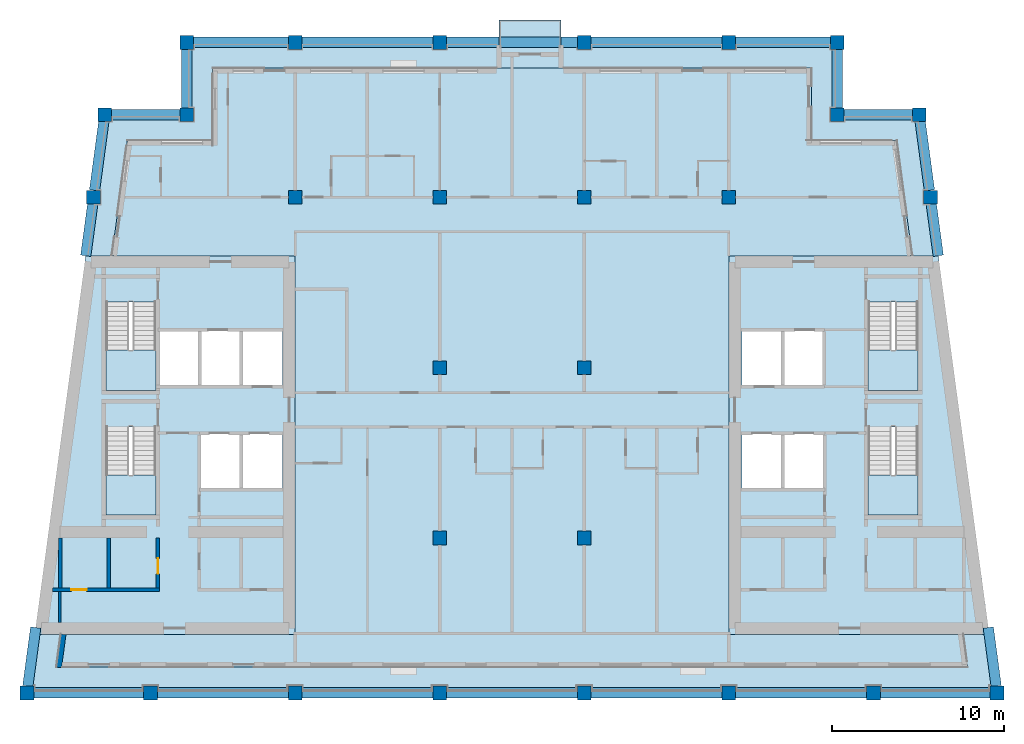
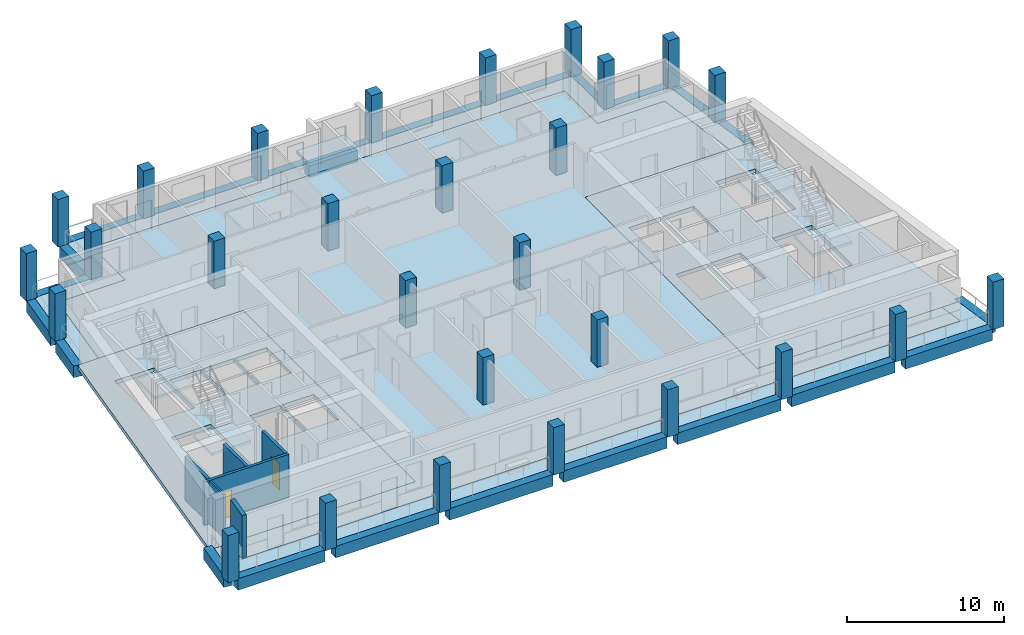
# One storey, part 1 of 13: 28 columns, 24 beams, 10 slabs, 6 walls, 2 doors, 2 openings, 4 elements without a shape of their own.
"""IFC4 building model written with IfcOpenShell, lengths in metres."""

from ifc_helpers import new_model, si_unit, direction, frame, frame_2d, origin, origin_2d, place, context, subcontext, project, spatial, polyline, rectangle, outline, extrude, material, layer, layer_set, material_profile, profile_set, type_object, element, fill, aggregate, save


model = new_model("IFC4")

# Units and contexts
model_context = context("Model", 3, precision=1e-05, world=origin(), true_north=direction((0.0, 1.0)))
body_context = subcontext(model_context, "Body", "Model", "MODEL_VIEW")
ifc_project = project(units=[si_unit("LENGTHUNIT", "METRE"), si_unit("AREAUNIT", "SQUARE_METRE"), si_unit("VOLUMEUNIT", "CUBIC_METRE"), si_unit("PLANEANGLEUNIT", "RADIAN"), si_unit("MASSUNIT", "GRAM", prefix="KILO")], contexts=[model_context])

# Site, building, storey
site_placement = place(None, origin())
site = spatial("IfcSite", under=ifc_project, at=site_placement, CompositionType="ELEMENT")
building_placement = place(site_placement, origin())
building = spatial("IfcBuilding", under=site, at=building_placement, Name="Candeia Pilgrim Tower and Theatre", CompositionType="ELEMENT")
storey_placement = place(building_placement, frame((0.0, 0.0, 277.5)))
storey = spatial("IfcBuildingStorey", under=building, at=storey_placement, Name="L67", CompositionType="ELEMENT", Elevation=277.5)

# Columns
ifc_material_1 = material(Name="Concrete C40/50", Category="concrete")
ifc_material_profile_1 = material_profile(ifc_material_1, rectangle(XDim=0.800048828125, YDim=0.800048828125, at=origin_2d()))
ifc_profile_set_1 = profile_set([ifc_material_profile_1], Name="Concrete C40/50")
column_type = type_object("IfcColumnType", Name="RC 800x800 C40/50", PredefinedType="COLUMN", material=ifc_profile_set_1)
for number, where, z_axis, x_axis, name in (
    (1, (94.5, 140.60009765625, 0.0), (0.0, 0.0, 1.0), (1.0, 0.0, 0.0), "Column NNW"),
    (2, (132.300048828125, 140.60009765625, 0.0), (0.0, 0.0, 1.0), (1.0, 0.0, 0.0), "Column NNE"),
    (3, (89.734619140625, 140.60009765625, 0.0), (0.0, 0.0, 1.0), (1.0, 0.0, 0.0), "Column LNW"),
    (4, (137.0654296875, 140.60009765625, 0.0), (0.0, 0.0, 1.0), (1.0, 0.0, 0.0), "Column LNE"),
    (5, (92.39990234375, 107.0, 0.0), (0.0, 0.0, 1.0), (1.0, 0.0, 0.0), "Column B1"),
    (6, (100.800048828125, 107.0, 0.0), (0.0, 0.0, 1.0), (1.0, 0.0, 0.0), "Column B2"),
    (7, (109.199951171875, 107.0, 0.0), (0.0, 0.0, 1.0), (1.0, 0.0, 0.0), "Column B3"),
    (8, (117.60009765625, 107.0, 0.0), (0.0, 0.0, 1.0), (1.0, 0.0, 0.0), "Column B4"),
    (9, (126.0, 107.0, 0.0), (0.0, 0.0, 1.0), (1.0, 0.0, 0.0), "Column B5"),
    (10, (134.39990234375, 107.0, 0.0), (0.0, 0.0, 1.0), (1.0, 0.0, 0.0), "Column B6"),
    (11, (85.21142578125, 107.0, 0.0), (0.0, 0.0, 1.0), (1.0, 0.0, 0.0), "Column BW"),
    (12, (141.58837890625, 107.0, 0.0), (0.0, 0.0, 1.0), (1.0, 0.0, 0.0), "Column BE"),
    (13, (109.199951171875, 116.0, 0.0), (0.0, 0.0, 1.0), (1.0, 0.0, 0.0), "Column C3"),
    (14, (117.60009765625, 116.0, 0.0), (0.0, 0.0, 1.0), (1.0, 0.0, 0.0), "Column C4"),
    (15, (109.199951171875, 125.89990234375, 0.0), (0.0, 0.0, 1.0), (1.0, 0.0, 0.0), "Column D3"),
    (16, (117.60009765625, 125.89990234375, 0.0), (0.0, 0.0, 1.0), (1.0, 0.0, 0.0), "Column D4"),
    (17, (100.800048828125, 135.800048828125, 0.0), (0.0, 0.0, 1.0), (1.0, 0.0, 0.0), "Column E2"),
    (18, (109.199951171875, 135.800048828125, 0.0), (0.0, 0.0, 1.0), (1.0, 0.0, 0.0), "Column E3"),
    (19, (117.60009765625, 135.800048828125, 0.0), (0.0, 0.0, 1.0), (1.0, 0.0, 0.0), "Column E4"),
    (20, (126.0, 135.800048828125, 0.0), (0.0, 0.0, 1.0), (1.0, 0.0, 0.0), "Column E5"),
    (21, (89.08837890625, 135.800048828125, 0.0), (0.0, 0.0, 1.0), (1.0, 0.0, 0.0), "Column EW"),
    (22, (137.71142578125, 135.800048828125, 0.0), (0.0, 0.0, 1.0), (1.0, 0.0, 0.0), "Column EE"),
    (23, (100.800048828125, 144.800048828125, 0.0), (0.0, 0.0, 1.0), (1.0, 0.0, 0.0), "Column F2"),
    (24, (109.199951171875, 144.800048828125, 0.0), (0.0, 0.0, 1.0), (1.0, 0.0, 0.0), "Column F3"),
    (25, (117.60009765625, 144.800048828125, 0.0), (0.0, 0.0, 1.0), (1.0, 0.0, 0.0), "Column F4"),
    (26, (126.0, 144.800048828125, 0.0), (0.0, 0.0, 1.0), (1.0, 0.0, 0.0), "Column F5"),
    (27, (94.5, 144.800048828125, 0.0), (0.0, 0.0, 1.0), (1.0, 0.0, 0.0), "Column FW"),
    (28, (132.300048828125, 144.800048828125, 0.0), (0.0, 0.0, 1.0), (1.0, 0.0, 0.0), "Column FE"),
):
    element("IfcColumn", number, at=place(storey_placement, frame(where, z_axis=z_axis, x_axis=x_axis)), inside=storey, type_object=column_type, Name=name, PredefinedType="COLUMN", context=body_context, shape_type="SweptSolid", body=[
        extrude(rectangle(XDim=0.800048828125, YDim=0.800048828125, at=origin_2d()), origin(), (0.0, 0.0, 1.0), 3.699951171875),
    ])

# Beams
ifc_material_profile_2 = material_profile(ifc_material_1, rectangle(XDim=0.60009765625, YDim=0.89990234375, at=origin_2d()))
ifc_profile_set_2 = profile_set([ifc_material_profile_2], Name="Concrete C40/50")
beam_type = type_object("IfcBeamType", Name="RC 600x900 C40/50", PredefinedType="BEAM", material=ifc_profile_set_2)
beam_1_placement = place(storey_placement, frame((90.134521484375, 140.60009765625, -0.449951171875), z_axis=(1.0, 0.0, 0.0), x_axis=(0.0, 1.0, 0.0)))
element("IfcBeam", 29, at=beam_1_placement, inside=storey, type_object=beam_type, Name="Spandrel beam L67-01", PredefinedType="BEAM", context=body_context, shape_type="SweptSolid", body=[
    extrude(rectangle(XDim=0.60009765625, YDim=0.89990234375, at=origin_2d()), origin(), (0.0, 0.0, 1.0), 3.965576171875),
])
beam_2_placement = place(storey_placement, frame((94.5, 141.0, -0.449951171875), z_axis=(0.0, 1.0, 0.0), x_axis=(-1.0, 0.0, 0.0)))
element("IfcBeam", 30, at=beam_2_placement, inside=storey, type_object=beam_type, Name="Spandrel beam L67-02", PredefinedType="BEAM", context=body_context, shape_type="SweptSolid", body=[
    extrude(rectangle(XDim=0.60009765625, YDim=0.89990234375, at=origin_2d()), origin(), (0.0, 0.0, 1.0), 3.39990234375),
])
beam_3_placement = place(storey_placement, frame((94.89990234375, 144.800048828125, -0.449951171875), z_axis=(1.0, 0.0, 0.0), x_axis=(0.0, 1.0, 0.0)))
element("IfcBeam", 31, at=beam_3_placement, inside=storey, type_object=beam_type, Name="Spandrel beam L67-03", PredefinedType="BEAM", context=body_context, shape_type="SweptSolid", body=[
    extrude(rectangle(XDim=0.60009765625, YDim=0.89990234375, at=origin_2d()), origin(), (0.0, 0.0, 1.0), 5.5),
])
beam_4_placement = place(storey_placement, frame((101.199951171875, 144.800048828125, -0.449951171875), z_axis=(1.0, 0.0, 0.0), x_axis=(0.0, 1.0, 0.0)))
element("IfcBeam", 32, at=beam_4_placement, inside=storey, type_object=beam_type, Name="Spandrel beam L67-04", PredefinedType="BEAM", context=body_context, shape_type="SweptSolid", body=[
    extrude(rectangle(XDim=0.60009765625, YDim=0.89990234375, at=origin_2d()), origin(), (0.0, 0.0, 1.0), 7.60009765625),
])
beam_5_placement = place(storey_placement, frame((109.60009765625, 144.800048828125, -0.449951171875), z_axis=(1.0, 0.0, 0.0), x_axis=(0.0, 1.0, 0.0)))
element("IfcBeam", 33, at=beam_5_placement, inside=storey, type_object=beam_type, Name="Spandrel beam L67-05", PredefinedType="BEAM", context=body_context, shape_type="SweptSolid", body=[
    extrude(rectangle(XDim=0.60009765625, YDim=0.89990234375, at=origin_2d()), origin(), (0.0, 0.0, 1.0), 3.0498046875),
])
beam_6_placement = place(storey_placement, frame((112.64990234375, 144.800048828125, -0.699951171875), z_axis=(1.0, 0.0, 0.0), x_axis=(0.0, 1.0, 0.0)))
element("IfcBeam", 34, at=beam_6_placement, inside=storey, type_object=beam_type, Name="Spandrel beam L67-06", PredefinedType="BEAM", context=body_context, shape_type="SweptSolid", body=[
    extrude(rectangle(XDim=0.60009765625, YDim=0.89990234375, at=origin_2d()), origin(), (0.0, 0.0, 1.0), 3.60009765625),
])
beam_7_placement = place(storey_placement, frame((116.25, 144.800048828125, -0.449951171875), z_axis=(1.0, 0.0, 0.0), x_axis=(0.0, 1.0, 0.0)))
element("IfcBeam", 35, at=beam_7_placement, inside=storey, type_object=beam_type, Name="Spandrel beam L67-07", PredefinedType="BEAM", context=body_context, shape_type="SweptSolid", body=[
    extrude(rectangle(XDim=0.60009765625, YDim=0.89990234375, at=origin_2d()), origin(), (0.0, 0.0, 1.0), 0.949951171875),
])
beam_8_placement = place(storey_placement, frame((118.0, 144.800048828125, -0.449951171875), z_axis=(1.0, 0.0, 0.0), x_axis=(0.0, 1.0, 0.0)))
element("IfcBeam", 36, at=beam_8_placement, inside=storey, type_object=beam_type, Name="Spandrel beam L67-08", PredefinedType="BEAM", context=body_context, shape_type="SweptSolid", body=[
    extrude(rectangle(XDim=0.60009765625, YDim=0.89990234375, at=origin_2d()), origin(), (0.0, 0.0, 1.0), 7.60009765625),
])
beam_9_placement = place(storey_placement, frame((126.39990234375, 144.800048828125, -0.449951171875), z_axis=(1.0, 0.0, 0.0), x_axis=(0.0, 1.0, 0.0)))
element("IfcBeam", 37, at=beam_9_placement, inside=storey, type_object=beam_type, Name="Spandrel beam L67-09", PredefinedType="BEAM", context=body_context, shape_type="SweptSolid", body=[
    extrude(rectangle(XDim=0.60009765625, YDim=0.89990234375, at=origin_2d()), origin(), (0.0, 0.0, 1.0), 5.5),
])
beam_10_placement = place(storey_placement, frame((132.300048828125, 144.39990234375, -0.449951171875), z_axis=(0.0, -1.0, 0.0), x_axis=(1.0, 0.0, 0.0)))
element("IfcBeam", 38, at=beam_10_placement, inside=storey, type_object=beam_type, Name="Spandrel beam L67-10", PredefinedType="BEAM", context=body_context, shape_type="SweptSolid", body=[
    extrude(rectangle(XDim=0.60009765625, YDim=0.89990234375, at=origin_2d()), origin(), (0.0, 0.0, 1.0), 3.39990234375),
])
beam_11_placement = place(storey_placement, frame((132.699951171875, 140.60009765625, -0.449951171875), z_axis=(1.0, 0.0, 0.0), x_axis=(0.0, 1.0, 0.0)))
element("IfcBeam", 39, at=beam_11_placement, inside=storey, type_object=beam_type, Name="Spandrel beam L67-11", PredefinedType="BEAM", context=body_context, shape_type="SweptSolid", body=[
    extrude(rectangle(XDim=0.60009765625, YDim=0.89990234375, at=origin_2d()), origin(), (0.0, 0.0, 1.0), 3.96533203125),
])
beam_12_placement = place(storey_placement, frame((137.119140625, 140.199951171875, -0.449951171875), z_axis=(0.133439433328, -0.991056969923, 0.0), x_axis=(0.991056969923, 0.133439433328, 0.0)))
element("IfcBeam", 40, at=beam_12_placement, inside=storey, type_object=beam_type, Name="Spandrel beam L67-12", PredefinedType="BEAM", context=body_context, shape_type="SweptSolid", body=[
    extrude(rectangle(XDim=0.60009765625, YDim=0.89990234375, at=origin_2d()), origin(), (0.0, 0.0, 1.0), 4.0361328125),
])
beam_13_placement = place(storey_placement, frame((137.765380859375, 135.39990234375, -0.449951171875), z_axis=(0.133399824849, -0.991062302144, 0.0), x_axis=(0.991062302144, 0.133399824849, 0.0)))
element("IfcBeam", 41, at=beam_13_placement, inside=storey, type_object=beam_type, Name="Spandrel beam L67-13", PredefinedType="BEAM", context=body_context, shape_type="SweptSolid", body=[
    extrude(rectangle(XDim=0.60009765625, YDim=0.89990234375, at=origin_2d()), origin(), (0.0, 0.0, 1.0), 3.027099609375),
])
beam_14_placement = place(storey_placement, frame((141.077392578125, 110.796630859375, -0.449951171875), z_axis=(0.133418739522, -0.991059755991, 0.0), x_axis=(0.991059755991, 0.133418739522, 0.0)))
element("IfcBeam", 42, at=beam_14_placement, inside=storey, type_object=beam_type, Name="Spandrel beam L67-14", PredefinedType="BEAM", context=body_context, shape_type="SweptSolid", body=[
    extrude(rectangle(XDim=0.60009765625, YDim=0.89990234375, at=origin_2d()), origin(), (0.0, 0.0, 1.0), 3.427490234375),
])
beam_15_placement = place(storey_placement, frame((141.1884765625, 107.0, -0.449951171875), z_axis=(-1.0, 0.0, 0.0), x_axis=(0.0, -1.0, 0.0)))
element("IfcBeam", 43, at=beam_15_placement, inside=storey, type_object=beam_type, Name="Spandrel beam L67-15", PredefinedType="BEAM", context=body_context, shape_type="SweptSolid", body=[
    extrude(rectangle(XDim=0.60009765625, YDim=0.89990234375, at=origin_2d()), origin(), (0.0, 0.0, 1.0), 6.388427734375),
])
for number, where, z_axis, x_axis, name in (
    (44, (134.0, 107.0, -0.449951171875), (-1.0, 0.0, 0.0), (0.0, -1.0, 0.0), "Spandrel beam L67-16"),
    (45, (125.60009765625, 107.0, -0.449951171875), (-1.0, 0.0, 0.0), (0.0, -1.0, 0.0), "Spandrel beam L67-17"),
):
    element("IfcBeam", number, at=place(storey_placement, frame(where, z_axis=z_axis, x_axis=x_axis)), inside=storey, type_object=beam_type, Name=name, PredefinedType="BEAM", context=body_context, shape_type="SweptSolid", body=[
        extrude(rectangle(XDim=0.60009765625, YDim=0.89990234375, at=origin_2d()), origin(), (0.0, 0.0, 1.0), 7.60009765625),
    ])
beam_16_placement = place(storey_placement, frame((117.199951171875, 107.0, -0.449951171875), z_axis=(-1.0, 0.0, 0.0), x_axis=(0.0, -1.0, 0.0)))
element("IfcBeam", 46, at=beam_16_placement, inside=storey, type_object=beam_type, Name="Spandrel beam L67-18", PredefinedType="BEAM", context=body_context, shape_type="SweptSolid", body=[
    extrude(rectangle(XDim=0.60009765625, YDim=0.89990234375, at=origin_2d()), origin(), (0.0, 0.0, 1.0), 7.599853515625),
])
beam_17_placement = place(storey_placement, frame((108.800048828125, 107.0, -0.449951171875), z_axis=(-1.0, 0.0, 0.0), x_axis=(0.0, -1.0, 0.0)))
element("IfcBeam", 47, at=beam_17_placement, inside=storey, type_object=beam_type, Name="Spandrel beam L67-19", PredefinedType="BEAM", context=body_context, shape_type="SweptSolid", body=[
    extrude(rectangle(XDim=0.60009765625, YDim=0.89990234375, at=origin_2d()), origin(), (0.0, 0.0, 1.0), 7.60009765625),
])
beam_18_placement = place(storey_placement, frame((100.39990234375, 107.0, -0.449951171875), z_axis=(-1.0, 0.0, 0.0), x_axis=(0.0, -1.0, 0.0)))
element("IfcBeam", 48, at=beam_18_placement, inside=storey, type_object=beam_type, Name="Spandrel beam L67-20", PredefinedType="BEAM", context=body_context, shape_type="SweptSolid", body=[
    extrude(rectangle(XDim=0.60009765625, YDim=0.89990234375, at=origin_2d()), origin(), (0.0, 0.0, 1.0), 7.599853515625),
])
beam_19_placement = place(storey_placement, frame((92.0, 107.0, -0.449951171875), z_axis=(-1.0, 0.0, 0.0), x_axis=(0.0, -1.0, 0.0)))
element("IfcBeam", 49, at=beam_19_placement, inside=storey, type_object=beam_type, Name="Spandrel beam L67-21", PredefinedType="BEAM", context=body_context, shape_type="SweptSolid", body=[
    extrude(rectangle(XDim=0.60009765625, YDim=0.89990234375, at=origin_2d()), origin(), (0.0, 0.0, 1.0), 6.388427734375),
])
beam_20_placement = place(storey_placement, frame((85.265380859375, 107.39990234375, -0.449951171875), z_axis=(0.133418739522, 0.991059755991, 0.0), x_axis=(-0.991059755991, 0.133418739522, 0.0)))
element("IfcBeam", 50, at=beam_20_placement, inside=storey, type_object=beam_type, Name="Spandrel beam L67-22", PredefinedType="BEAM", context=body_context, shape_type="SweptSolid", body=[
    extrude(rectangle(XDim=0.60009765625, YDim=0.89990234375, at=origin_2d()), origin(), (0.0, 0.0, 1.0), 3.427490234375),
])
beam_21_placement = place(storey_placement, frame((88.630859375, 132.39990234375, -0.449951171875), z_axis=(0.133399824849, 0.991062302144, 0.0), x_axis=(-0.991062302144, 0.133399824849, 0.0)))
element("IfcBeam", 51, at=beam_21_placement, inside=storey, type_object=beam_type, Name="Spandrel beam L67-23", PredefinedType="BEAM", context=body_context, shape_type="SweptSolid", body=[
    extrude(rectangle(XDim=0.60009765625, YDim=0.89990234375, at=origin_2d()), origin(), (0.0, 0.0, 1.0), 3.027099609375),
])
beam_22_placement = place(storey_placement, frame((89.142333984375, 136.199951171875, -0.449951171875), z_axis=(0.13338002037, 0.991064967682, 0.0), x_axis=(-0.991064967682, 0.13338002037, 0.0)))
element("IfcBeam", 52, at=beam_22_placement, inside=storey, type_object=beam_type, Name="Spandrel beam L67-24", PredefinedType="BEAM", context=body_context, shape_type="SweptSolid", body=[
    extrude(rectangle(XDim=0.60009765625, YDim=0.89990234375, at=origin_2d()), origin(), (0.0, 0.0, 1.0), 4.0361328125),
])

# Slabs
ifc_layer_1 = layer(ifc_material_1, 0.25)
ifc_layer_set_1 = layer_set([ifc_layer_1], Name="BK1 balcony slab 250")
slab_type_1 = type_object("IfcSlabType", Name="BK1 balcony slab 250", PredefinedType="USERDEFINED", material=ifc_layer_set_1)
slab_1_placement = place(storey_placement, frame((0.0, 0.0, -0.25)))
element("IfcSlab", 53, at=slab_1_placement, inside=storey, type_object=slab_type_1, Name="Balcony L67", ObjectType="BALCONY", PredefinedType="USERDEFINED", context=body_context, shape_type="SweptSolid", body=[
    extrude(outline(polyline([(112.64990234375, 144.5), (116.25, 144.5), (116.25, 146.10009765625), (112.64990234375, 146.10009765625), (112.64990234375, 144.5)])), origin(), (0.0, 0.0, 1.0), 0.25),
])
ifc_material_2 = material(Name="Concrete C60/75", Category="concrete")
ifc_layer_2 = layer(ifc_material_2, 0.320068359375)
ifc_layer_set_2 = layer_set([ifc_layer_2], Name="FS-CORE 320 core floor")
slab_type_2 = type_object("IfcSlabType", Name="FS-CORE 320 core floor", PredefinedType="FLOOR", material=ifc_layer_set_2)
slab_2_placement = place(storey_placement, frame((0.0, 0.0, -0.320068359375)))
element("IfcSlab", 54, at=slab_2_placement, inside=storey, type_object=slab_type_2, Name="Core floor W L67", PredefinedType="FLOOR", context=body_context, shape_type="SweptSolid", body=[
    extrude(outline(polyline([(100.800048828125, 132.39990234375), (100.800048828125, 110.39990234375), (85.669189453125, 110.39990234375), (88.630859375, 132.39990234375), (100.800048828125, 132.39990234375)]), holes=[polyline([(97.71337890625, 122.050048828125), (97.71337890625, 118.85009765625), (100.050048828125, 118.85009765625), (100.050048828125, 122.050048828125), (97.71337890625, 122.050048828125)]), polyline([(97.7255859375, 128.050048828125), (97.7255859375, 124.85009765625), (100.050048828125, 124.85009765625), (100.050048828125, 128.050048828125), (97.7255859375, 128.050048828125)]), polyline([(95.30126953125, 128.050048828125), (95.30126953125, 124.85009765625), (97.625732421875, 124.85009765625), (97.625732421875, 128.050048828125), (95.30126953125, 128.050048828125)]), polyline([(95.277099609375, 122.050048828125), (95.277099609375, 118.85009765625), (97.613525390625, 118.85009765625), (97.613525390625, 122.050048828125), (95.277099609375, 122.050048828125)]), polyline([(92.876953125, 128.050048828125), (92.876953125, 124.85009765625), (95.201416015625, 124.85009765625), (95.201416015625, 128.050048828125), (92.876953125, 128.050048828125)]), polyline([(89.802001953125, 117.324951171875), (92.701904296875, 117.324951171875), (92.701904296875, 122.455078125), (89.802001953125, 122.455078125), (89.802001953125, 117.324951171875)]), polyline([(89.802001953125, 129.705078125), (89.802001953125, 124.574951171875), (92.701904296875, 124.574951171875), (92.701904296875, 129.705078125), (89.802001953125, 129.705078125)])]), origin(), (0.0, 0.0, 1.0), 0.320068359375),
])
slab_3_placement = place(storey_placement, frame((0.0, 0.0, -0.320068359375)))
element("IfcSlab", 55, at=slab_3_placement, inside=storey, type_object=slab_type_2, Name="Core floor E L67", PredefinedType="FLOOR", context=body_context, shape_type="SweptSolid", body=[
    extrude(outline(polyline([(138.169189453125, 132.39990234375), (141.130859375, 110.39990234375), (126.0, 110.39990234375), (126.0, 132.39990234375), (138.169189453125, 132.39990234375)]), holes=[polyline([(134.097900390625, 117.324951171875), (136.998046875, 117.324951171875), (136.998046875, 122.455078125), (134.097900390625, 122.455078125), (134.097900390625, 117.324951171875)]), polyline([(134.097900390625, 129.705078125), (134.097900390625, 124.574951171875), (136.998046875, 124.574951171875), (136.998046875, 129.705078125), (134.097900390625, 129.705078125)]), polyline([(131.52294921875, 122.050048828125), (129.1865234375, 122.050048828125), (129.1865234375, 118.85009765625), (131.52294921875, 118.85009765625), (131.52294921875, 122.050048828125)]), polyline([(131.498779296875, 128.050048828125), (129.17431640625, 128.050048828125), (129.17431640625, 124.85009765625), (131.498779296875, 124.85009765625), (131.498779296875, 128.050048828125)]), polyline([(129.08642578125, 122.050048828125), (126.75, 122.050048828125), (126.75, 118.85009765625), (129.08642578125, 118.85009765625), (129.08642578125, 122.050048828125)]), polyline([(126.75, 128.050048828125), (126.75, 124.85009765625), (129.07421875, 124.85009765625), (129.07421875, 128.050048828125), (126.75, 128.050048828125)])]), origin(), (0.0, 0.0, 1.0), 0.320068359375),
])
ifc_material_3 = material(Name="Concrete C50/60", Category="concrete")
ifc_layer_3 = layer(ifc_material_3, 0.320068359375)
ifc_layer_set_3 = layer_set([ifc_layer_3], Name="Floor slab 320 C50/60")
slab_type_3 = type_object("IfcSlabType", Name="Floor slab 320 C50/60", PredefinedType="FLOOR", material=ifc_layer_set_3)
slab_4_placement = place(storey_placement, frame((0.0, 0.0, -0.320068359375)))
element("IfcSlab", 56, at=slab_4_placement, inside=storey, type_object=slab_type_3, Name="Floor slab L67", PredefinedType="FLOOR", context=body_context, shape_type="SweptSolid", body=[
    extrude(outline(polyline([(96.0, 139.10009765625), (96.0, 143.300048828125), (130.800048828125, 143.300048828125), (130.800048828125, 139.10009765625), (135.753662109375, 139.10009765625), (136.65576171875, 132.39990234375), (126.0, 132.39990234375), (126.0, 110.39990234375), (139.6171875, 110.39990234375), (139.873046875, 108.5), (86.927001953125, 108.5), (87.182861328125, 110.39990234375), (100.800048828125, 110.39990234375), (100.800048828125, 132.39990234375), (90.144287109375, 132.39990234375), (91.046142578125, 139.10009765625), (96.0, 139.10009765625)])), origin(), (0.0, 0.0, 1.0), 0.320068359375),
])
ifc_layer_4 = layer(ifc_material_1, 0.25)
ifc_layer_set_4 = layer_set([ifc_layer_4], Name="Loggia slab 250 C40/50")
slab_type_4 = type_object("IfcSlabType", Name="Loggia slab 250 C40/50", PredefinedType="FLOOR", material=ifc_layer_set_4)
slab_5_placement = place(storey_placement, frame((0.0, 0.0, -0.25)))
element("IfcSlab", 57, at=slab_5_placement, inside=storey, type_object=slab_type_4, Name="Loggia slab L67 1", PredefinedType="FLOOR", context=body_context, shape_type="SweptSolid", body=[
    extrude(outline(polyline([(86.927001953125, 108.5), (139.873046875, 108.5), (139.6171875, 110.39990234375), (140.828125, 110.39990234375), (141.245361328125, 107.300048828125), (85.5546875, 107.300048828125), (85.971923828125, 110.39990234375), (87.182861328125, 110.39990234375), (86.927001953125, 108.5)])), origin(), (0.0, 0.0, 1.0), 0.25),
])
slab_6_placement = place(storey_placement, frame((0.0, 0.0, -0.25)))
element("IfcSlab", 58, at=slab_6_placement, inside=storey, type_object=slab_type_4, Name="Loggia slab L67 2", PredefinedType="FLOOR", context=body_context, shape_type="SweptSolid", body=[
    extrude(outline(polyline([(136.65576171875, 132.39990234375), (135.753662109375, 139.10009765625), (130.800048828125, 139.10009765625), (130.800048828125, 143.300048828125), (96.0, 143.300048828125), (96.0, 139.10009765625), (91.046142578125, 139.10009765625), (90.144287109375, 132.39990234375), (88.93359375, 132.39990234375), (89.996826171875, 140.300048828125), (94.800048828125, 140.300048828125), (94.800048828125, 144.5), (132.0, 144.5), (132.0, 140.300048828125), (136.802978515625, 140.300048828125), (137.866455078125, 132.39990234375), (136.65576171875, 132.39990234375)])), origin(), (0.0, 0.0, 1.0), 0.25),
])

# Stair, slab
stair_type = type_object("IfcStairType", Name="ST-TWR dog-leg escape stair", PredefinedType="HALF_TURN_STAIR", material=ifc_material_1)
stair_1_placement = place(storey_placement, origin())
stair_1 = element("IfcStair", 59, at=stair_1_placement, inside=storey, type_object=stair_type, Name="L67 Escape stair ST1", PredefinedType="HALF_TURN_STAIR")
ifc_layer_5 = layer(ifc_material_1, 0.199951171875)
ifc_layer_set_5 = layer_set([ifc_layer_5], Name="SL-LANDING stair landing")
slab_type_5 = type_object("IfcSlabType", Name="SL-LANDING stair landing", PredefinedType="LANDING", material=ifc_layer_set_5)
slab_7_placement = place(storey_placement, frame((0.0, 0.0, 1.64990234375)))
slab_7 = element("IfcSlab", 60, at=slab_7_placement, type_object=slab_type_5, Name="ST1 landing 1", PredefinedType="LANDING", context=body_context, shape_type="SweptSolid", body=[
    extrude(outline(polyline([(89.802001953125, 119.675048828125), (89.802001953125, 117.324951171875), (92.701904296875, 117.324951171875), (92.701904296875, 119.675048828125), (89.802001953125, 119.675048828125)])), origin(), (0.0, 0.0, 1.0), 0.2001953125),
])
aggregate(stair_1, [slab_7])

stair_2_placement = place(storey_placement, origin())
stair_2 = element("IfcStair", 61, at=stair_2_placement, inside=storey, type_object=stair_type, Name="L67 Escape stair ST2", PredefinedType="HALF_TURN_STAIR")
slab_8_placement = place(storey_placement, frame((0.0, 0.0, 1.64990234375)))
slab_8 = element("IfcSlab", 62, at=slab_8_placement, type_object=slab_type_5, Name="ST2 landing 1", PredefinedType="LANDING", context=body_context, shape_type="SweptSolid", body=[
    extrude(outline(polyline([(89.802001953125, 126.925048828125), (89.802001953125, 124.574951171875), (92.701904296875, 124.574951171875), (92.701904296875, 126.925048828125), (89.802001953125, 126.925048828125)])), origin(), (0.0, 0.0, 1.0), 0.2001953125),
])
aggregate(stair_2, [slab_8])

stair_3_placement = place(storey_placement, origin())
stair_3 = element("IfcStair", 63, at=stair_3_placement, inside=storey, type_object=stair_type, Name="L67 Escape stair ST3", PredefinedType="HALF_TURN_STAIR")
slab_9_placement = place(storey_placement, frame((0.0, 0.0, 1.64990234375)))
slab_9 = element("IfcSlab", 64, at=slab_9_placement, type_object=slab_type_5, Name="ST3 landing 1", PredefinedType="LANDING", context=body_context, shape_type="SweptSolid", body=[
    extrude(outline(polyline([(134.097900390625, 119.675048828125), (134.097900390625, 117.324951171875), (136.998046875, 117.324951171875), (136.998046875, 119.675048828125), (134.097900390625, 119.675048828125)])), origin(), (0.0, 0.0, 1.0), 0.2001953125),
])
aggregate(stair_3, [slab_9])

stair_4_placement = place(storey_placement, origin())
stair_4 = element("IfcStair", 65, at=stair_4_placement, inside=storey, type_object=stair_type, Name="L67 Escape stair ST4", PredefinedType="HALF_TURN_STAIR")
slab_10_placement = place(storey_placement, frame((0.0, 0.0, 1.64990234375)))
slab_10 = element("IfcSlab", 66, at=slab_10_placement, type_object=slab_type_5, Name="ST4 landing 1", PredefinedType="LANDING", context=body_context, shape_type="SweptSolid", body=[
    extrude(outline(polyline([(134.097900390625, 126.925048828125), (134.097900390625, 124.574951171875), (136.998046875, 124.574951171875), (136.998046875, 126.925048828125), (134.097900390625, 126.925048828125)])), origin(), (0.0, 0.0, 1.0), 0.2001953125),
])
aggregate(stair_4, [slab_10])

# Walls
ifc_material_4 = material(Name="Ceramic block masonry", Category="masonry")
ifc_layer_6 = layer(ifc_material_4, 0.300048828125)
ifc_layer_set_6 = layer_set([ifc_layer_6], Name="EW1 glazing-line wall 300")
wall_type_1 = type_object("IfcWallType", Name="EW1 glazing-line wall 300", PredefinedType="SOLIDWALL", material=ifc_layer_set_6)
wall_1_placement = place(storey_placement, frame((87.334228515625, 110.39990234375, 0.0), z_axis=(0.0, 0.0, 1.0), x_axis=(-0.13345962011, -0.991054251694, 0.0)))
element("IfcWall", 67, at=wall_1_placement, inside=storey, type_object=wall_type_1, Name="External wall L67-0.1", PredefinedType="SOLIDWALL", context=body_context, shape_type="SweptSolid", body=[
    extrude(rectangle(XDim=1.937255859375, YDim=0.300048828125, at=frame_2d((0.96875, 0.0))), origin(), (0.0, 0.0, 1.0), 3.3798828125),
])
ifc_material_5 = material(Name="Gypsum board partition on steel studs", Category="steel")
ifc_layer_7 = layer(ifc_material_5, 0.14990234375)
ifc_layer_set_7 = layer_set([ifc_layer_7], Name="PW-150 lobby wall")
wall_type_2 = type_object("IfcWallType", Name="PW-150 lobby wall", PredefinedType="PARTITIONING", material=ifc_layer_set_7)
wall_2_placement = place(storey_placement, frame((87.126953125, 111.10009765625, 0.0), z_axis=(0.0, 0.0, 1.0), x_axis=(0.0, 1.0, 0.0)))
element("IfcWall", 68, at=wall_2_placement, inside=storey, type_object=wall_type_2, Name="Lobby wall L67-045", PredefinedType="PARTITIONING", context=body_context, shape_type="SweptSolid", body=[
    extrude(rectangle(XDim=1.7998046875, YDim=0.14990234375, at=frame_2d((0.89990234375, 0.0))), origin(), (0.0, 0.0, 1.0), 3.3798828125),
])

# Wall, opening, door
ifc_layer_8 = layer(ifc_material_1, 0.199951171875)
ifc_layer_set_8 = layer_set([ifc_layer_8], Name="SW-200 shaft wall")
wall_type_3 = type_object("IfcWallType", Name="SW-200 shaft wall", PredefinedType="PARTITIONING", material=ifc_layer_set_8)
wall_3_placement = place(storey_placement, frame((86.695556640625, 113.0, 0.0), z_axis=(0.0, 0.0, 1.0), x_axis=(1.0, 0.0, 0.0)))
wall_3 = element("IfcWall", 69, at=wall_3_placement, inside=storey, type_object=wall_type_3, Name="Shaft wall L67-002", PredefinedType="PARTITIONING", context=body_context, shape_type="SweptSolid", body=[
    extrude(rectangle(XDim=6.2314453125, YDim=0.199951171875, at=frame_2d((3.11572265625, 0.0))), origin(), (0.0, 0.0, 1.0), 3.3798828125),
])
opening_1_placement = place(wall_3_placement, frame((1.094482421875, 0.0, 0.0)))
opening_1 = element("IfcOpeningElement", 70, at=opening_1_placement, cuts=wall_3, Name="Opening L67-D005", PredefinedType="OPENING", context=body_context, shape_type="SweptSolid", body=[
    extrude(rectangle(XDim=0.89990234375, YDim=2.10009765625, at=frame_2d((0.449951171875, 1.050048828125))), frame((0.0, 0.10986328125, 0.0), z_axis=(0.0, -1.0, 0.0), x_axis=(1.0, 0.0, 0.0)), (0.0, 0.0, 1.0), 0.219970703125),
])
ifc_material_6 = material(Name="Steel fire door set", Category="steel")
door_type = type_object("IfcDoorType", Name="D-900-FD60", OperationType="NOTDEFINED", PredefinedType="DOOR", material=ifc_material_6)
door_1_placement = place(opening_1_placement, origin())
door_1 = element("IfcDoor", 71, at=door_1_placement, inside=storey, type_object=door_type, Name="Door L67-D005", OperationType="SINGLE_SWING_RIGHT", OverallHeight=2.10009765625, OverallWidth=0.89990234375, PredefinedType="DOOR", context=body_context, shape_type="SweptSolid", body=[
    extrude(rectangle(XDim=0.89990234375, YDim=2.10009765625, at=frame_2d((0.449951171875, 1.050048828125))), frame((0.0, 0.02490234375, 0.0), z_axis=(0.0, -1.0, 0.0), x_axis=(1.0, 0.0, 0.0)), (0.0, 0.0, 1.0), 0.050048828125),
])
fill(opening_1, door_1)

# Walls
for number, where, z_axis, x_axis, name in (
    (72, (87.1484375, 113.10009765625, 0.0), (0.0, 0.0, 1.0), (0.0, 1.0, 0.0), "Shaft wall L67-044"),
    (73, (89.97705078125, 113.10009765625, 0.0), (0.0, 0.0, 1.0), (0.0, 1.0, 0.0), "Shaft wall L67-048"),
):
    element("IfcWall", number, at=place(storey_placement, frame(where, z_axis=z_axis, x_axis=x_axis)), inside=storey, type_object=wall_type_3, Name=name, PredefinedType="PARTITIONING", context=body_context, shape_type="SweptSolid", body=[
        extrude(rectangle(XDim=2.89990234375, YDim=0.199951171875, at=frame_2d((1.449951171875, 0.0))), origin(), (0.0, 0.0, 1.0), 3.3798828125),
    ])

# Wall, opening, door
wall_4_placement = place(storey_placement, frame((92.826904296875, 113.10009765625, 0.0), z_axis=(0.0, 0.0, 1.0), x_axis=(0.0, 1.0, 0.0)))
wall_4 = element("IfcWall", 74, at=wall_4_placement, inside=storey, type_object=wall_type_3, Name="Shaft wall L67-049", PredefinedType="PARTITIONING", context=body_context, shape_type="SweptSolid", body=[
    extrude(rectangle(XDim=2.89990234375, YDim=0.199951171875, at=frame_2d((1.449951171875, 0.0))), origin(), (0.0, 0.0, 1.0), 3.3798828125),
])
opening_2_placement = place(wall_4_placement, frame((0.81005859375, 0.0, 0.0)))
opening_2 = element("IfcOpeningElement", 75, at=opening_2_placement, cuts=wall_4, Name="Opening L67-D006", PredefinedType="OPENING", context=body_context, shape_type="SweptSolid", body=[
    extrude(rectangle(XDim=0.89990234375, YDim=2.10009765625, at=frame_2d((0.449951171875, 1.050048828125))), frame((0.0, 0.10986328125, 0.0), z_axis=(0.0, -1.0, 0.0), x_axis=(1.0, 0.0, 0.0)), (0.0, 0.0, 1.0), 0.219970703125),
])
door_2_placement = place(opening_2_placement, origin())
door_2 = element("IfcDoor", 76, at=door_2_placement, inside=storey, type_object=door_type, Name="Door L67-D006", OperationType="SINGLE_SWING_LEFT", OverallHeight=2.10009765625, OverallWidth=0.89990234375, PredefinedType="DOOR", context=body_context, shape_type="SweptSolid", body=[
    extrude(rectangle(XDim=0.89990234375, YDim=2.10009765625, at=frame_2d((0.449951171875, 1.050048828125))), frame((0.0, 0.02490234375, 0.0), z_axis=(0.0, -1.0, 0.0), x_axis=(1.0, 0.0, 0.0)), (0.0, 0.0, 1.0), 0.050048828125),
])
fill(opening_2, door_2)

save(model, "model.ifc")
